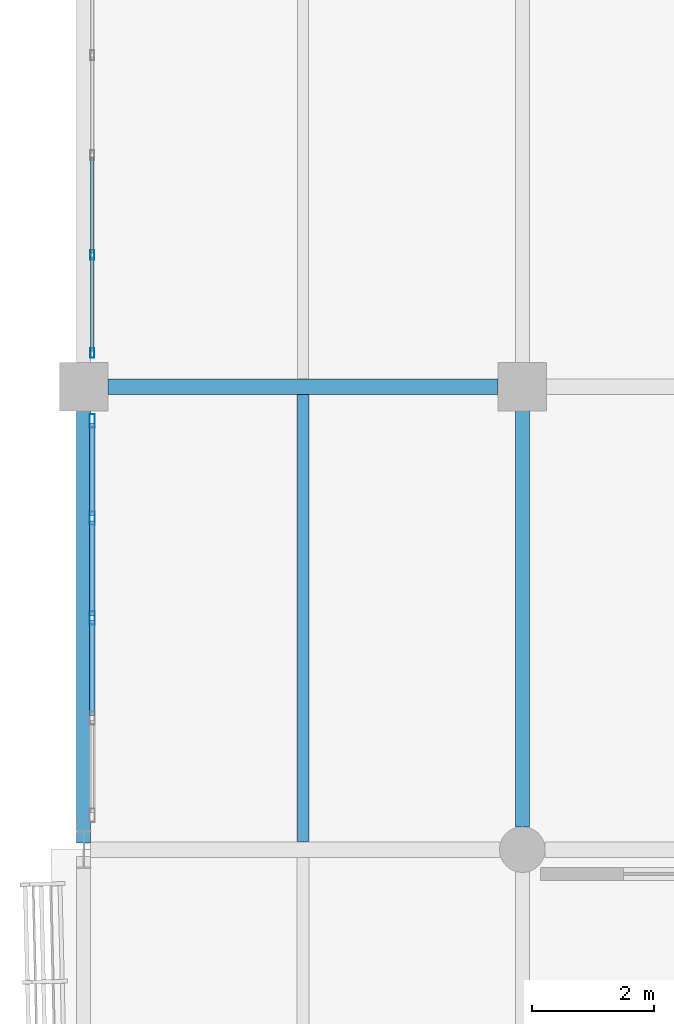
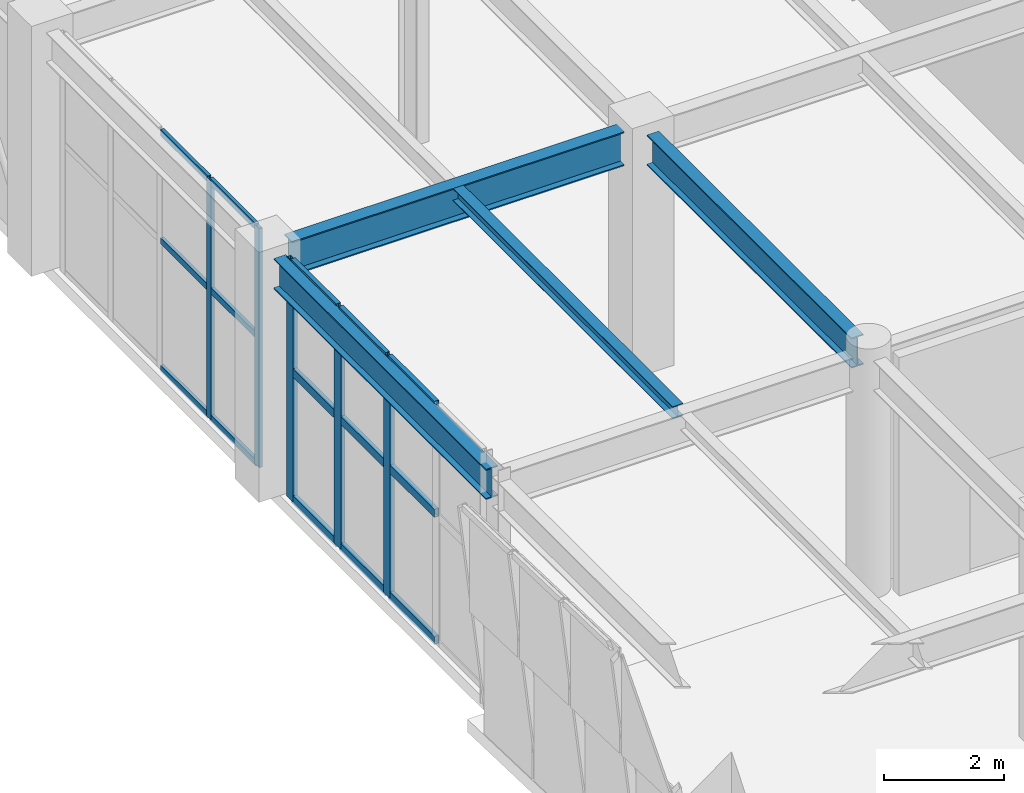
# One storey, part 17 of 128: 20 members, 4 beams, 2 elements without a shape of their own.
"""IFC4 building model written with IfcOpenShell, lengths in metres."""

from ifc_helpers import new_model, si_unit, direction, frame, origin, origin_2d, place, context, subcontext, project, spatial, hollow_rectangle, i_section, extrude, material, layer, layer_set, material_profile, profile_set, type_object, element, aggregate, save


model = new_model("IFC4")

# Units and contexts
model_context = context("Model", 3, precision=1e-05, world=origin(), true_north=direction((0.0, 1.0)))
body_context = subcontext(model_context, "Body", "Model", "MODEL_VIEW")
ifc_project = project(units=[si_unit("LENGTHUNIT", "METRE"), si_unit("AREAUNIT", "SQUARE_METRE"), si_unit("VOLUMEUNIT", "CUBIC_METRE"), si_unit("PLANEANGLEUNIT", "RADIAN"), si_unit("MASSUNIT", "GRAM", prefix="KILO")], contexts=[model_context])

# Site, building, storey
site_placement = place(None, origin())
site = spatial("IfcSite", under=ifc_project, at=site_placement, CompositionType="ELEMENT")
building_placement = place(site_placement, origin())
building = spatial("IfcBuilding", under=site, at=building_placement, Name="Xicomal Pleat Aquarium", CompositionType="ELEMENT")
storey_placement = place(building_placement, frame((0.0, 0.0, 5.39990234375)))
storey = spatial("IfcBuildingStorey", under=building, at=storey_placement, Name="L02", CompositionType="ELEMENT", Elevation=5.39990234375)

# Beams
ifc_material_1 = material(Name="Structural steel A992 Gr 50", Category="steel")
ifc_material_profile_1 = material_profile(ifc_material_1, i_section(OverallWidth=0.201904296875, OverallDepth=0.2470703125, WebThickness=0.00732421875, FlangeThickness=0.010986328125, at=origin_2d()), Name="IR 250x49")
ifc_profile_set_1 = profile_set([ifc_material_profile_1], Name="Structural steel A992 Gr 50")
beam_type_1 = type_object("IfcBeamType", Name="BM-STL-IR250", PredefinedType="JOIST", material=ifc_profile_set_1)
beam_1_placement = place(storey_placement, frame((6.60009765625, 38.131103515625, 4.751708984375), z_axis=(0.0, 1.0, 0.0), x_axis=(-1.0, 0.0, 0.0)))
element("IfcBeam", 1, at=beam_1_placement, inside=storey, type_object=beam_type_1, Name="L02 framing beam FBJ-L02-01-F-1", PredefinedType="JOIST", context=body_context, shape_type="SweptSolid", body=[
    extrude(i_section(OverallWidth=0.201904296875, OverallDepth=0.2470703125, WebThickness=0.00732421875, FlangeThickness=0.010986328125, at=origin_2d()), origin(), (0.0, 0.0, 1.0), 7.337890625),
])
ifc_material_2 = material(Name="Structural steel A992 Gr 50", Category="steel")
ifc_material_profile_2 = material_profile(ifc_material_2, i_section(OverallWidth=0.22998046875, OverallDepth=0.616943359375, WebThickness=0.01318359375, FlangeThickness=0.022216796875, at=origin_2d()), Name="IR 610x140")
ifc_profile_set_2 = profile_set([ifc_material_profile_2], Name="Structural steel A992 Gr 50")
beam_type_2 = type_object("IfcBeamType", Name="BM-STL-IR610", PredefinedType="BEAM", material=ifc_profile_set_2)
beam_2_placement = place(storey_placement, frame((3.0, 38.110107421875, 4.566650390625), z_axis=(0.0, 1.0, 0.0), x_axis=(-1.0, 0.0, 0.0)))
element("IfcBeam", 2, at=beam_2_placement, inside=storey, type_object=beam_type_2, Name="L02 framing beam FGY-L02-01-F-G", PredefinedType="BEAM", context=body_context, shape_type="SweptSolid", body=[
    extrude(i_section(OverallWidth=0.22998046875, OverallDepth=0.616943359375, WebThickness=0.01318359375, FlangeThickness=0.022216796875, at=origin_2d()), origin(), (0.0, 0.0, 1.0), 7.094970703125),
])
beam_3_placement = place(storey_placement, frame((10.199951171875, 38.3701171875, 4.566650390625), z_axis=(0.0, 1.0, 0.0), x_axis=(-1.0, 0.0, 0.0)))
element("IfcBeam", 3, at=beam_3_placement, inside=storey, type_object=beam_type_2, Name="L02 framing beam FGY-L02-02-F-G", PredefinedType="BEAM", context=body_context, shape_type="SweptSolid", body=[
    extrude(i_section(OverallWidth=0.22998046875, OverallDepth=0.616943359375, WebThickness=0.01318359375, FlangeThickness=0.022216796875, at=origin_2d()), origin(), (0.0, 0.0, 1.0), 6.8349609375),
])
ifc_material_3 = material(Name="Structural steel A992 Gr 50", Category="steel")
ifc_material_profile_3 = material_profile(ifc_material_3, i_section(OverallWidth=0.256103515625, OverallDepth=0.693115234375, WebThickness=0.014404296875, FlangeThickness=0.023681640625, at=origin_2d()), Name="IR 690x170")
ifc_profile_set_3 = profile_set([ifc_material_profile_3], Name="Structural steel A992 Gr 50")
beam_type_3 = type_object("IfcBeamType", Name="BM-STL-IR690", PredefinedType="BEAM", material=ifc_profile_set_3)
beam_4_placement = place(storey_placement, frame((3.39501953125, 45.60009765625, 4.528564453125), z_axis=(1.0, 0.0, 0.0), x_axis=(0.0, 1.0, 0.0)))
element("IfcBeam", 4, at=beam_4_placement, inside=storey, type_object=beam_type_3, Name="L02 framing beam FGX-L02-01-02-G", PredefinedType="BEAM", context=body_context, shape_type="SweptSolid", body=[
    extrude(i_section(OverallWidth=0.256103515625, OverallDepth=0.693115234375, WebThickness=0.014404296875, FlangeThickness=0.023681640625, at=origin_2d()), origin(), (0.0, 0.0, 1.0), 6.409912109375),
])

# Curtain wall, members
ifc_material_4 = material(Name="Bronze anodized aluminium 6063-T6", Category="aluminium")
ifc_layer_1 = layer(ifc_material_4, 0.159912109375)
ifc_layer_set_1 = layer_set([ifc_layer_1], Name="Bronze anodized aluminium 6063-T6")
curtain_wall_type_1 = type_object("IfcCurtainWallType", Name="CW-SYS-02", PredefinedType="NOTDEFINED", material=ifc_layer_set_1)
curtain_wall_1_placement = place(storey_placement, origin())
curtain_wall_1 = element("IfcCurtainWall", 5, at=curtain_wall_1_placement, inside=storey, type_object=curtain_wall_type_1, Name="L02 unitised curtain wall CW-L02-123", PredefinedType="NOTDEFINED")
ifc_material_5 = material(Name="Bronze anodized aluminium 6063-T6", Category="aluminium")
ifc_material_profile_4 = material_profile(ifc_material_5, hollow_rectangle(XDim=0.06494140625, YDim=0.159912109375, WallThickness=0.00390625, at=origin_2d()), Name="ALU MULL 65x160")
ifc_profile_set_4 = profile_set([ifc_material_profile_4], Name="Bronze anodized aluminium 6063-T6")
member_type_1 = type_object("IfcMemberType", Name="CWM-65x160", PredefinedType="MULLION", material=ifc_profile_set_4)
member_1_placement = place(storey_placement, frame((3.139892578125, 46.152587890625, 0.0), z_axis=(0.0, 0.0, 1.0), x_axis=(-1.0, 0.0, 0.0)))
member_1 = element("IfcMember", 6, at=member_1_placement, type_object=member_type_1, Name="CW-02 mullion 1", PredefinedType="MULLION", context=body_context, shape_type="SweptSolid", body=[
    extrude(hollow_rectangle(XDim=0.06494140625, YDim=0.159912109375, WallThickness=0.00390625, at=origin_2d()), origin(), (0.0, 0.0, 1.0), 4.875),
])
member_2_placement = place(storey_placement, frame((3.139892578125, 47.760009765625, 0.0), z_axis=(0.0, 0.0, 1.0), x_axis=(-1.0, 0.0, 0.0)))
member_2 = element("IfcMember", 7, at=member_2_placement, type_object=member_type_1, Name="CW-02 mullion 2", PredefinedType="MULLION", context=body_context, shape_type="SweptSolid", body=[
    extrude(hollow_rectangle(XDim=0.06494140625, YDim=0.159912109375, WallThickness=0.00390625, at=origin_2d()), origin(), (0.0, 0.0, 1.0), 4.875),
])

ifc_material_6 = material(Name="Bronze anodized aluminium 6063-T6", Category="aluminium")
ifc_layer_2 = layer(ifc_material_6, 0.159912109375)
ifc_layer_set_2 = layer_set([ifc_layer_2], Name="Bronze anodized aluminium 6063-T6")
curtain_wall_type_2 = type_object("IfcCurtainWallType", Name="CW-SYS-12", PredefinedType="NOTDEFINED", material=ifc_layer_set_2)
curtain_wall_2_placement = place(storey_placement, origin())
curtain_wall_2 = element("IfcCurtainWall", 8, at=curtain_wall_2_placement, inside=storey, type_object=curtain_wall_type_2, Name="L02 unitised curtain wall CW-L02-122", PredefinedType="NOTDEFINED")
ifc_material_7 = material(Name="Bronze anodized aluminium 6063-T6", Category="aluminium")
ifc_material_profile_5 = material_profile(ifc_material_7, hollow_rectangle(XDim=0.0849609375, YDim=0.219970703125, WallThickness=0.0048828125, at=origin_2d()), Name="ALU MULL 85x220")
ifc_profile_set_5 = profile_set([ifc_material_profile_5], Name="Bronze anodized aluminium 6063-T6")
member_type_2 = type_object("IfcMemberType", Name="CWM-85x220", PredefinedType="MULLION", material=ifc_profile_set_5)
member_3_placement = place(storey_placement, frame((3.139892578125, 41.800048828125, 0.0), z_axis=(0.0, 0.0, 1.0), x_axis=(-1.0, 0.0, 0.0)))
member_3 = element("IfcMember", 9, at=member_3_placement, type_object=member_type_2, Name="CW-12 mullion 3", PredefinedType="MULLION", context=body_context, shape_type="SweptSolid", body=[
    extrude(hollow_rectangle(XDim=0.0849609375, YDim=0.219970703125, WallThickness=0.0048828125, at=origin_2d()), origin(), (0.0, 0.0, 1.0), 4.875),
])
member_4_placement = place(storey_placement, frame((3.139892578125, 43.43994140625, 0.0), z_axis=(0.0, 0.0, 1.0), x_axis=(-1.0, 0.0, 0.0)))
member_4 = element("IfcMember", 10, at=member_4_placement, type_object=member_type_2, Name="CW-12 mullion 4", PredefinedType="MULLION", context=body_context, shape_type="SweptSolid", body=[
    extrude(hollow_rectangle(XDim=0.0849609375, YDim=0.219970703125, WallThickness=0.0048828125, at=origin_2d()), origin(), (0.0, 0.0, 1.0), 4.875),
])
member_5_placement = place(storey_placement, frame((3.139892578125, 45.03759765625, 0.0), z_axis=(0.0, 0.0, 1.0), x_axis=(-1.0, 0.0, 0.0)))
member_5 = element("IfcMember", 11, at=member_5_placement, type_object=member_type_2, Name="CW-12 mullion 5", PredefinedType="MULLION", context=body_context, shape_type="SweptSolid", body=[
    extrude(hollow_rectangle(XDim=0.0849609375, YDim=0.219970703125, WallThickness=0.0048828125, at=origin_2d()), origin(), (0.0, 0.0, 1.0), 4.875),
])

# Member
ifc_material_8 = material(Name="Bronze anodized aluminium 6063-T6", Category="aluminium")
ifc_material_profile_6 = material_profile(ifc_material_8, hollow_rectangle(XDim=0.06494140625, YDim=0.1298828125, WallThickness=0.00390625, at=origin_2d()), Name="ALU TRAN 65x130")
ifc_profile_set_6 = profile_set([ifc_material_profile_6], Name="Bronze anodized aluminium 6063-T6")
member_type_3 = type_object("IfcMemberType", Name="CWT-65x130", PredefinedType="USERDEFINED", material=ifc_profile_set_6)
member_6_placement = place(storey_placement, frame((3.139892578125, 46.18505859375, 0.03271484375), z_axis=(0.0, 1.0, 0.0), x_axis=(-1.0, 0.0, 0.0)))
member_6 = element("IfcMember", 12, at=member_6_placement, type_object=member_type_3, Name="CW-02 transom 1.1", ObjectType="TRANSOM", PredefinedType="USERDEFINED", context=body_context, shape_type="SweptSolid", body=[
    extrude(hollow_rectangle(XDim=0.06494140625, YDim=0.1298828125, WallThickness=0.00390625, at=origin_2d()), origin(), (0.0, 0.0, 1.0), 1.54248046875),
])

member_7_placement = place(storey_placement, frame((3.139892578125, 46.18505859375, 2.633056640625), z_axis=(0.0, 1.0, 0.0), x_axis=(-1.0, 0.0, 0.0)))
member_7 = element("IfcMember", 13, at=member_7_placement, type_object=member_type_3, Name="CW-02 transom 1.2", ObjectType="TRANSOM", PredefinedType="USERDEFINED", context=body_context, shape_type="SweptSolid", body=[
    extrude(hollow_rectangle(XDim=0.06494140625, YDim=0.1298828125, WallThickness=0.00390625, at=origin_2d()), origin(), (0.0, 0.0, 1.0), 1.54248046875),
])

member_8_placement = place(storey_placement, frame((3.139892578125, 46.18505859375, 4.842529296875), z_axis=(0.0, 1.0, 0.0), x_axis=(-1.0, 0.0, 0.0)))
member_8 = element("IfcMember", 14, at=member_8_placement, type_object=member_type_3, Name="CW-02 transom 1.3", ObjectType="TRANSOM", PredefinedType="USERDEFINED", context=body_context, shape_type="SweptSolid", body=[
    extrude(hollow_rectangle(XDim=0.06494140625, YDim=0.1298828125, WallThickness=0.00390625, at=origin_2d()), origin(), (0.0, 0.0, 1.0), 1.54248046875),
])

member_9_placement = place(storey_placement, frame((3.139892578125, 47.79248046875, 0.03271484375), z_axis=(0.0, 1.0, 0.0), x_axis=(-1.0, 0.0, 0.0)))
member_9 = element("IfcMember", 15, at=member_9_placement, type_object=member_type_3, Name="CW-02 transom 2.1", ObjectType="TRANSOM", PredefinedType="USERDEFINED", context=body_context, shape_type="SweptSolid", body=[
    extrude(hollow_rectangle(XDim=0.06494140625, YDim=0.1298828125, WallThickness=0.00390625, at=origin_2d()), origin(), (0.0, 0.0, 1.0), 1.574951171875),
])

member_10_placement = place(storey_placement, frame((3.139892578125, 47.79248046875, 2.633056640625), z_axis=(0.0, 1.0, 0.0), x_axis=(-1.0, 0.0, 0.0)))
member_10 = element("IfcMember", 16, at=member_10_placement, type_object=member_type_3, Name="CW-02 transom 2.2", ObjectType="TRANSOM", PredefinedType="USERDEFINED", context=body_context, shape_type="SweptSolid", body=[
    extrude(hollow_rectangle(XDim=0.06494140625, YDim=0.1298828125, WallThickness=0.00390625, at=origin_2d()), origin(), (0.0, 0.0, 1.0), 1.574951171875),
])

member_11_placement = place(storey_placement, frame((3.139892578125, 47.79248046875, 4.842529296875), z_axis=(0.0, 1.0, 0.0), x_axis=(-1.0, 0.0, 0.0)))
member_11 = element("IfcMember", 17, at=member_11_placement, type_object=member_type_3, Name="CW-02 transom 2.3", ObjectType="TRANSOM", PredefinedType="USERDEFINED", context=body_context, shape_type="SweptSolid", body=[
    extrude(hollow_rectangle(XDim=0.06494140625, YDim=0.1298828125, WallThickness=0.00390625, at=origin_2d()), origin(), (0.0, 0.0, 1.0), 1.574951171875),
])

aggregate(curtain_wall_1, [member_1, member_2, member_6, member_7, member_8, member_9, member_10, member_11])

ifc_material_9 = material(Name="Bronze anodized aluminium 6063-T6", Category="aluminium")
ifc_material_profile_7 = material_profile(ifc_material_9, hollow_rectangle(XDim=0.0849609375, YDim=0.169921875, WallThickness=0.0048828125, at=origin_2d()), Name="ALU TRAN 85x170")
ifc_profile_set_7 = profile_set([ifc_material_profile_7], Name="Bronze anodized aluminium 6063-T6")
member_type_4 = type_object("IfcMemberType", Name="CWT-85x170", PredefinedType="USERDEFINED", material=ifc_profile_set_7)
member_12_placement = place(storey_placement, frame((3.139892578125, 40.202392578125, 0.04248046875), z_axis=(0.0, 1.0, 0.0), x_axis=(-1.0, 0.0, 0.0)))
member_12 = element("IfcMember", 18, at=member_12_placement, type_object=member_type_4, Name="CW-12 transom 2.1", ObjectType="TRANSOM", PredefinedType="USERDEFINED", context=body_context, shape_type="SweptSolid", body=[
    extrude(hollow_rectangle(XDim=0.0849609375, YDim=0.169921875, WallThickness=0.0048828125, at=origin_2d()), origin(), (0.0, 0.0, 1.0), 1.55517578125),
])

member_13_placement = place(storey_placement, frame((3.139892578125, 40.202392578125, 2.633056640625), z_axis=(0.0, 1.0, 0.0), x_axis=(-1.0, 0.0, 0.0)))
member_13 = element("IfcMember", 19, at=member_13_placement, type_object=member_type_4, Name="CW-12 transom 2.2", ObjectType="TRANSOM", PredefinedType="USERDEFINED", context=body_context, shape_type="SweptSolid", body=[
    extrude(hollow_rectangle(XDim=0.0849609375, YDim=0.169921875, WallThickness=0.0048828125, at=origin_2d()), origin(), (0.0, 0.0, 1.0), 1.55517578125),
])

member_14_placement = place(storey_placement, frame((3.139892578125, 40.202392578125, 4.83251953125), z_axis=(0.0, 1.0, 0.0), x_axis=(-1.0, 0.0, 0.0)))
member_14 = element("IfcMember", 20, at=member_14_placement, type_object=member_type_4, Name="CW-12 transom 2.3", ObjectType="TRANSOM", PredefinedType="USERDEFINED", context=body_context, shape_type="SweptSolid", body=[
    extrude(hollow_rectangle(XDim=0.0849609375, YDim=0.169921875, WallThickness=0.0048828125, at=origin_2d()), origin(), (0.0, 0.0, 1.0), 1.55517578125),
])

member_15_placement = place(storey_placement, frame((3.139892578125, 41.842529296875, 0.04248046875), z_axis=(0.0, 1.0, 0.0), x_axis=(-1.0, 0.0, 0.0)))
member_15 = element("IfcMember", 21, at=member_15_placement, type_object=member_type_4, Name="CW-12 transom 3.1", ObjectType="TRANSOM", PredefinedType="USERDEFINED", context=body_context, shape_type="SweptSolid", body=[
    extrude(hollow_rectangle(XDim=0.0849609375, YDim=0.169921875, WallThickness=0.0048828125, at=origin_2d()), origin(), (0.0, 0.0, 1.0), 1.554931640625),
])

member_16_placement = place(storey_placement, frame((3.139892578125, 41.842529296875, 2.633056640625), z_axis=(0.0, 1.0, 0.0), x_axis=(-1.0, 0.0, 0.0)))
member_16 = element("IfcMember", 22, at=member_16_placement, type_object=member_type_4, Name="CW-12 transom 3.2", ObjectType="TRANSOM", PredefinedType="USERDEFINED", context=body_context, shape_type="SweptSolid", body=[
    extrude(hollow_rectangle(XDim=0.0849609375, YDim=0.169921875, WallThickness=0.0048828125, at=origin_2d()), origin(), (0.0, 0.0, 1.0), 1.554931640625),
])

member_17_placement = place(storey_placement, frame((3.139892578125, 41.842529296875, 4.83251953125), z_axis=(0.0, 1.0, 0.0), x_axis=(-1.0, 0.0, 0.0)))
member_17 = element("IfcMember", 23, at=member_17_placement, type_object=member_type_4, Name="CW-12 transom 3.3", ObjectType="TRANSOM", PredefinedType="USERDEFINED", context=body_context, shape_type="SweptSolid", body=[
    extrude(hollow_rectangle(XDim=0.0849609375, YDim=0.169921875, WallThickness=0.0048828125, at=origin_2d()), origin(), (0.0, 0.0, 1.0), 1.554931640625),
])

member_18_placement = place(storey_placement, frame((3.139892578125, 43.482421875, 0.04248046875), z_axis=(0.0, 1.0, 0.0), x_axis=(-1.0, 0.0, 0.0)))
member_18 = element("IfcMember", 24, at=member_18_placement, type_object=member_type_4, Name="CW-12 transom 4.1", ObjectType="TRANSOM", PredefinedType="USERDEFINED", context=body_context, shape_type="SweptSolid", body=[
    extrude(hollow_rectangle(XDim=0.0849609375, YDim=0.169921875, WallThickness=0.0048828125, at=origin_2d()), origin(), (0.0, 0.0, 1.0), 1.5126953125),
])

member_19_placement = place(storey_placement, frame((3.139892578125, 43.482421875, 2.633056640625), z_axis=(0.0, 1.0, 0.0), x_axis=(-1.0, 0.0, 0.0)))
member_19 = element("IfcMember", 25, at=member_19_placement, type_object=member_type_4, Name="CW-12 transom 4.2", ObjectType="TRANSOM", PredefinedType="USERDEFINED", context=body_context, shape_type="SweptSolid", body=[
    extrude(hollow_rectangle(XDim=0.0849609375, YDim=0.169921875, WallThickness=0.0048828125, at=origin_2d()), origin(), (0.0, 0.0, 1.0), 1.5126953125),
])

member_20_placement = place(storey_placement, frame((3.139892578125, 43.482421875, 4.83251953125), z_axis=(0.0, 1.0, 0.0), x_axis=(-1.0, 0.0, 0.0)))
member_20 = element("IfcMember", 26, at=member_20_placement, type_object=member_type_4, Name="CW-12 transom 4.3", ObjectType="TRANSOM", PredefinedType="USERDEFINED", context=body_context, shape_type="SweptSolid", body=[
    extrude(hollow_rectangle(XDim=0.0849609375, YDim=0.169921875, WallThickness=0.0048828125, at=origin_2d()), origin(), (0.0, 0.0, 1.0), 1.5126953125),
])

aggregate(curtain_wall_2, [member_3, member_4, member_5, member_12, member_13, member_14, member_15, member_16, member_17, member_18, member_19, member_20])

save(model, "model.ifc")
